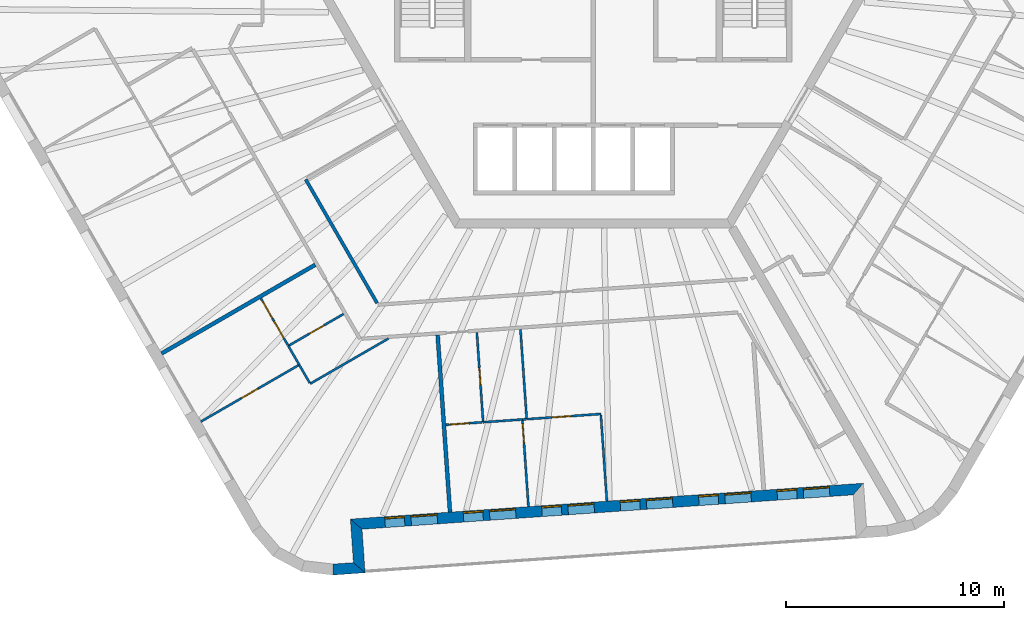
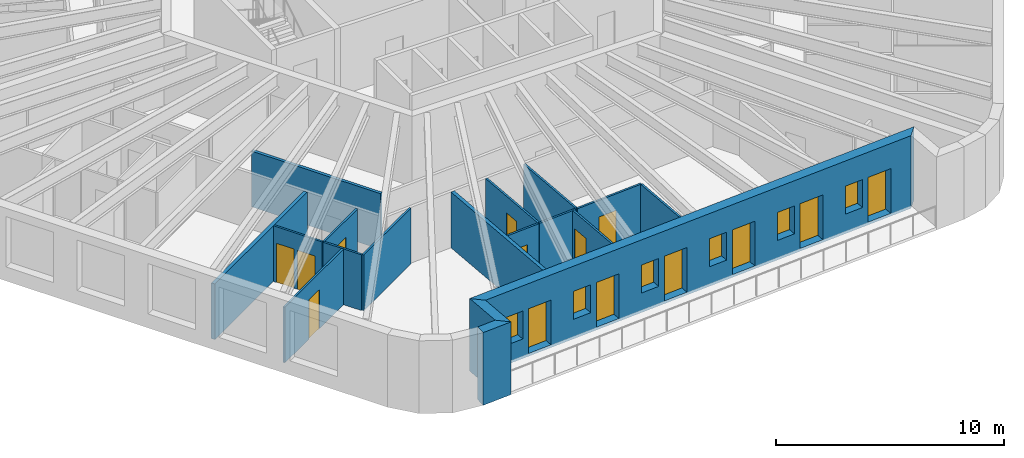
# One storey, part 3 of 12: 20 walls, 14 doors, 6 windows, 20 openings.
"""IFC4 building model written with IfcOpenShell, lengths in metres."""

from ifc_helpers import new_model, si_unit, direction, frame, frame_2d, origin, place, context, subcontext, project, spatial, polyline, rectangle, outline, extrude, material, layer, layer_set, type_object, element, fill, save


model = new_model("IFC4")

# Units and contexts
model_context = context("Model", 3, precision=1e-05, world=origin(), true_north=direction((0.0, 1.0)))
body_context = subcontext(model_context, "Body", "Model", "MODEL_VIEW")
ifc_project = project(units=[si_unit("LENGTHUNIT", "METRE"), si_unit("AREAUNIT", "SQUARE_METRE"), si_unit("VOLUMEUNIT", "CUBIC_METRE"), si_unit("PLANEANGLEUNIT", "RADIAN"), si_unit("MASSUNIT", "GRAM", prefix="KILO")], contexts=[model_context])

# Site, building, storey
site_placement = place(None, origin())
site = spatial("IfcSite", under=ifc_project, at=site_placement, CompositionType="ELEMENT")
building_placement = place(site_placement, origin())
building = spatial("IfcBuilding", under=site, at=building_placement, Name="Tarnside Tower", CompositionType="ELEMENT")
storey_placement = place(building_placement, frame((0.0, 0.0, 283.5)))
storey = spatial("IfcBuildingStorey", under=building, at=storey_placement, Name="L68", CompositionType="ELEMENT", Elevation=283.5)

# Walls
ifc_material_1 = material(Name="Gypsum board partition on steel studs", Category="steel")
ifc_layer_1 = layer(ifc_material_1, 0.10009765625)
ifc_layer_set_1 = layer_set([ifc_layer_1], Name="Bathroom wall 100")
wall_type_1 = type_object("IfcWallType", Name="Bathroom wall 100", PredefinedType="PARTITIONING", material=ifc_layer_set_1)
wall_1_placement = place(storey_placement, frame((-9.382080078125, -16.068603515625, 0.0), z_axis=(0.0, 0.0, 1.0), x_axis=(-0.866028486751, -0.499994660107, 0.0)))
element("IfcWall", 1, at=wall_1_placement, inside=storey, type_object=wall_type_1, Name="Bathroom wall 22129", PredefinedType="PARTITIONING", context=body_context, shape_type="SweptSolid", body=[
    extrude(rectangle(XDim=4.140625, YDim=0.10009765625, at=frame_2d((2.0703125, 0.0))), origin(), (0.0, 0.0, 1.0), 2.98779296875),
])
wall_2_placement = place(storey_placement, frame((-12.992919921875, -18.095703125, 0.0), z_axis=(0.0, 0.0, 1.0), x_axis=(-0.500055416838, 0.865993406494, 0.0)))
element("IfcWall", 2, at=wall_2_placement, inside=storey, type_object=wall_type_1, Name="Bathroom wall 22130", PredefinedType="PARTITIONING", context=body_context, shape_type="SweptSolid", body=[
    extrude(rectangle(XDim=0.9521484375, YDim=0.10009765625, at=frame_2d((0.47607421875, 0.0))), origin(), (0.0, 0.0, 1.0), 2.98779296875),
])

# Wall, opening, door
wall_3_placement = place(storey_placement, frame((-13.968017578125, -16.40673828125, 0.0), z_axis=(0.0, 0.0, 1.0), x_axis=(0.866046596414, 0.499963291492, 0.0)))
wall_3 = element("IfcWall", 3, at=wall_3_placement, inside=storey, type_object=wall_type_1, Name="Bathroom wall 22134", PredefinedType="PARTITIONING", context=body_context, shape_type="SweptSolid", body=[
    extrude(rectangle(XDim=2.925048828125, YDim=0.10009765625, at=frame_2d((1.46240234375, 0.0))), origin(), (0.0, 0.0, 1.0), 2.98779296875),
])
opening_1_placement = place(wall_3_placement, frame((1.10009765625, 0.0, 0.0)))
opening_1 = element("IfcOpeningElement", 4, at=opening_1_placement, cuts=wall_3, Name="Opening D-B1", PredefinedType="OPENING", context=body_context, shape_type="SweptSolid", body=[
    extrude(rectangle(XDim=0.800048828125, YDim=2.10009765625, at=frame_2d((0.39990234375, 1.050048828125))), frame((0.0, 0.06005859375, 0.0), z_axis=(0.0, -1.0, 0.0), x_axis=(1.0, 0.0, 0.0)), (0.0, 0.0, 1.0), 0.1201171875),
])
ifc_material_2 = material(Name="Timber door leaf", Category="wood")
door_type_1 = type_object("IfcDoorType", Name="Bathroom door 800", OperationType="NOTDEFINED", PredefinedType="DOOR", material=ifc_material_2)
door_1_placement = place(opening_1_placement, origin())
door_1 = element("IfcDoor", 5, at=door_1_placement, inside=storey, type_object=door_type_1, Name="Bathroom door 22042", OperationType="SINGLE_SWING_LEFT", OverallHeight=2.10009765625, OverallWidth=0.800048828125, PredefinedType="DOOR", context=body_context, shape_type="SweptSolid", body=[
    extrude(rectangle(XDim=0.800048828125, YDim=2.10009765625, at=frame_2d((0.39990234375, 1.050048828125))), frame((0.0, 0.02490234375, 0.0), z_axis=(0.0, -1.0, 0.0), x_axis=(1.0, 0.0, 0.0)), (0.0, 0.0, 1.0), 0.050048828125),
])
fill(opening_1, door_1)

# Walls
wall_4_placement = place(storey_placement, frame((-13.968994140625, -16.405029296875, 0.0), z_axis=(0.0, 0.0, 1.0), x_axis=(0.499912255713, -0.866076057046, 0.0)))
element("IfcWall", 6, at=wall_4_placement, inside=storey, type_object=wall_type_1, Name="Bathroom wall 22136", PredefinedType="PARTITIONING", context=body_context, shape_type="SweptSolid", body=[
    extrude(rectangle(XDim=1.002197265625, YDim=0.10009765625, at=frame_2d((0.5009765625, 0.0))), origin(), (0.0, 0.0, 1.0), 2.98779296875),
])
wall_5_placement = place(storey_placement, frame((-3.341552734375, -15.646240234375, 0.0), z_axis=(0.0, 0.0, 1.0), x_axis=(0.069779065701, -0.997562470219, 0.0)))
element("IfcWall", 7, at=wall_5_placement, inside=storey, type_object=wall_type_1, Name="Bathroom wall 22137", PredefinedType="PARTITIONING", context=body_context, shape_type="SweptSolid", body=[
    extrude(rectangle(XDim=4.125, YDim=0.10009765625, at=frame_2d((2.0625, 0.0))), origin(), (0.0, 0.0, 1.0), 2.98779296875),
])

# Wall, opening, door
wall_6_placement = place(storey_placement, frame((-5.048828125, -19.900634765625, 0.0), z_axis=(0.0, 0.0, 1.0), x_axis=(-0.069779065701, 0.997562470219, 0.0)))
wall_6 = element("IfcWall", 8, at=wall_6_placement, inside=storey, type_object=wall_type_1, Name="Bathroom wall 22141", PredefinedType="PARTITIONING", context=body_context, shape_type="SweptSolid", body=[
    extrude(rectangle(XDim=4.125, YDim=0.10009765625, at=frame_2d((2.0625, 0.0))), origin(), (0.0, 0.0, 1.0), 2.98779296875),
])
opening_2_placement = place(wall_6_placement, frame((1.699951171875, 0.0, 0.0)))
opening_2 = element("IfcOpeningElement", 9, at=opening_2_placement, cuts=wall_6, Name="Opening D-B1", PredefinedType="OPENING", context=body_context, shape_type="SweptSolid", body=[
    extrude(rectangle(XDim=0.800048828125, YDim=2.10009765625, at=frame_2d((0.39990234375, 1.050048828125))), frame((0.0, 0.06005859375, 0.0), z_axis=(0.0, -1.0, 0.0), x_axis=(1.0, 0.0, 0.0)), (0.0, 0.0, 1.0), 0.1201171875),
])
door_2_placement = place(opening_2_placement, origin())
door_2 = element("IfcDoor", 10, at=door_2_placement, inside=storey, type_object=door_type_1, Name="Bathroom door 22047", OperationType="SINGLE_SWING_LEFT", OverallHeight=2.10009765625, OverallWidth=0.800048828125, PredefinedType="DOOR", context=body_context, shape_type="SweptSolid", body=[
    extrude(rectangle(XDim=0.800048828125, YDim=2.10009765625, at=frame_2d((0.39990234375, 1.050048828125))), frame((0.0, 0.02490234375, 0.0), z_axis=(0.0, -1.0, 0.0), x_axis=(1.0, 0.0, 0.0)), (0.0, 0.0, 1.0), 0.050048828125),
])
fill(opening_2, door_2)

# Walls
wall_7_placement = place(storey_placement, frame((-5.05078125, -19.90087890625, 0.0), z_axis=(0.0, 0.0, 1.0), x_axis=(0.997562835018, 0.069773850337, 0.0)))
element("IfcWall", 11, at=wall_7_placement, inside=storey, type_object=wall_type_1, Name="Bathroom wall 22143", PredefinedType="PARTITIONING", context=body_context, shape_type="SweptSolid", body=[
    extrude(rectangle(XDim=1.802001953125, YDim=0.10009765625, at=frame_2d((0.90087890625, 0.0))), origin(), (0.0, 0.0, 1.0), 2.98779296875),
])
wall_8_placement = place(storey_placement, frame((-3.253173828125, -19.775146484375, 0.0), z_axis=(0.0, 0.0, 1.0), x_axis=(0.997499305037, 0.070676279262, 0.0)))
element("IfcWall", 12, at=wall_8_placement, inside=storey, type_object=wall_type_1, Name="Bathroom wall 22144", PredefinedType="PARTITIONING", context=body_context, shape_type="SweptSolid", body=[
    extrude(rectangle(XDim=0.152099609375, YDim=0.10009765625, at=frame_2d((0.076171875, 0.0))), origin(), (0.0, 0.0, 1.0), 2.98779296875),
])
ifc_layer_2 = layer(ifc_material_1, 0.14990234375)
ifc_layer_set_2 = layer_set([ifc_layer_2], Name="Corridor wall 150 EI 60")
wall_type_2 = type_object("IfcWallType", Name="Corridor wall 150 EI 60", PredefinedType="PARTITIONING", material=ifc_layer_set_2)
wall_9_placement = place(storey_placement, frame((-9.901123046875, -14.450927734375, 0.0), z_axis=(0.0, 0.0, 1.0), x_axis=(-0.49999161165, 0.866030246746, 0.0)))
element("IfcWall", 13, at=wall_9_placement, inside=storey, type_object=wall_type_2, Name="Corridor wall 22053", PredefinedType="PARTITIONING", context=body_context, shape_type="SweptSolid", body=[
    extrude(rectangle(XDim=6.54296875, YDim=0.14990234375, at=frame_2d((3.271484375, 0.0))), origin(), (0.0, 0.0, 1.0), 2.98779296875),
])
ifc_layer_3 = layer(ifc_material_1, 0.179931640625)
ifc_layer_set_3 = layer_set([ifc_layer_3], Name="Demising wall 180 EI 60")
wall_type_3 = type_object("IfcWallType", Name="Demising wall 180 EI 60", PredefinedType="PARTITIONING", material=ifc_layer_set_3)
for number, where, z_axis, x_axis, name in (
    (14, (-19.771240234375, -16.755126953125, 0.0), (0.0, 0.0, 1.0), (0.866022959057, 0.500004234368, 0.0), "Demising wall 22120"),
    (15, (-6.5654296875, -24.0166015625, 0.0), (0.0, 0.0, 1.0), (-0.069741515951, 0.997565096098, 0.0), "Demising wall 22132"),
):
    element("IfcWall", number, at=place(storey_placement, frame(where, z_axis=z_axis, x_axis=x_axis)), inside=storey, type_object=wall_type_3, Name=name, PredefinedType="PARTITIONING", context=body_context, shape_type="SweptSolid", body=[
        extrude(rectangle(XDim=8.125, YDim=0.179931640625, at=frame_2d((4.0625, 0.0))), origin(), (0.0, 0.0, 1.0), 2.98779296875),
    ])
ifc_material_3 = material(Name="Dark zinc cladding")
ifc_layer_4 = layer(ifc_material_3, 0.10205078125)
ifc_material_4 = material(Name="Concrete C60/75 precast", Category="concrete")
ifc_layer_5 = layer(ifc_material_4, 0.298095703125)
ifc_material_5 = material(Name="Mineral wool insulation")
ifc_layer_6 = layer(ifc_material_5, 0.10009765625)
ifc_layer_set_4 = layer_set([ifc_layer_4, ifc_layer_5, ifc_layer_6], Name="Loggia wall 500 zinc faced")
wall_type_4 = type_object("IfcWallType", Name="Loggia wall 500 zinc faced", PredefinedType="SOLIDWALL", material=ifc_layer_set_4)
wall_10_placement = place(storey_placement, frame((-11.91748046875, -26.646240234375, -0.14990234375), z_axis=(0.0, 0.0, 1.0), x_axis=(0.997562933087, 0.069772448216, 0.0)))
element("IfcWall", 16, at=wall_10_placement, inside=storey, type_object=wall_type_4, Name="Tube wall L68 F4 stub 16", PredefinedType="SOLIDWALL", context=body_context, shape_type="SweptSolid", body=[
    extrude(outline(polyline([(-0.0234375, -0.25), (1.4501953125, -0.25), (0.9501953125, 0.25), (0.0234375, 0.25), (-0.0234375, -0.25)])), origin(), (0.0, 0.0, 1.0), 3.89990234375),
])
wall_11_placement = place(storey_placement, frame((-10.72021484375, -26.5625, -0.14990234375), z_axis=(0.0, 0.0, 1.0), x_axis=(-0.069824268692, 0.99755930726, 0.0)))
element("IfcWall", 17, at=wall_11_placement, inside=storey, type_object=wall_type_4, Name="Tube wall L68 F4 return 17", PredefinedType="SOLIDWALL", context=body_context, shape_type="SweptSolid", body=[
    extrude(outline(polyline([(-0.25, -0.25), (1.75, -0.25), (2.25, 0.25), (0.25, 0.25), (-0.25, -0.25)])), origin(), (0.0, 0.0, 1.0), 3.89990234375),
])

# Wall, openings, doors, windows
wall_12_placement = place(storey_placement, frame((-10.85986328125, -24.5673828125, -0.14990234375), z_axis=(0.0, 0.0, 1.0), x_axis=(0.997564329317, 0.06975248292, 0.0)))
wall_12 = element("IfcWall", 18, at=wall_12_placement, inside=storey, type_object=wall_type_4, Name="Tube wall L68 F4 back 18", PredefinedType="SOLIDWALL", context=body_context, shape_type="SweptSolid", body=[
    extrude(outline(polyline([(0.25, -0.25), (22.794677734375, -0.25), (23.294677734375, 0.25), (-0.25, 0.25), (0.25, -0.25)])), origin(), (0.0, 0.0, 1.0), 3.89990234375),
])
opening_3_placement = place(wall_12_placement, frame((1.322509765625, 0.0, 1.050048828125)))
opening_3 = element("IfcOpeningElement", 19, at=opening_3_placement, cuts=wall_12, Name="Opening WL500", PredefinedType="OPENING", context=body_context, shape_type="SweptSolid", body=[
    extrude(rectangle(XDim=0.89990234375, YDim=1.5, at=frame_2d((0.449951171875, 0.75))), frame((0.0, 0.260009765625, 0.0), z_axis=(0.0, -1.0, 0.0), x_axis=(1.0, 0.0, 0.0)), (0.0, 0.0, 1.0), 0.52001953125),
])
opening_4_placement = place(wall_12_placement, frame((2.5224609375, 0.0, 0.14990234375)))
opening_4 = element("IfcOpeningElement", 20, at=opening_4_placement, cuts=wall_12, Name="Opening DB500", PredefinedType="OPENING", context=body_context, shape_type="SweptSolid", body=[
    extrude(rectangle(XDim=1.199951171875, YDim=2.39990234375, at=frame_2d((0.60009765625, 1.199951171875))), frame((0.0, 0.260009765625, 0.0), z_axis=(0.0, -1.0, 0.0), x_axis=(1.0, 0.0, 0.0)), (0.0, 0.0, 1.0), 0.52001953125),
])
opening_5_placement = place(wall_12_placement, frame((4.92236328125, 0.0, 1.050048828125)))
opening_5 = element("IfcOpeningElement", 21, at=opening_5_placement, cuts=wall_12, Name="Opening WL500", PredefinedType="OPENING", context=body_context, shape_type="SweptSolid", body=[
    extrude(rectangle(XDim=0.89990234375, YDim=1.5, at=frame_2d((0.449951171875, 0.75))), frame((0.0, 0.260009765625, 0.0), z_axis=(0.0, -1.0, 0.0), x_axis=(1.0, 0.0, 0.0)), (0.0, 0.0, 1.0), 0.52001953125),
])
opening_6_placement = place(wall_12_placement, frame((6.122314453125, 0.0, 0.14990234375)))
opening_6 = element("IfcOpeningElement", 22, at=opening_6_placement, cuts=wall_12, Name="Opening DB500", PredefinedType="OPENING", context=body_context, shape_type="SweptSolid", body=[
    extrude(rectangle(XDim=1.199951171875, YDim=2.39990234375, at=frame_2d((0.60009765625, 1.199951171875))), frame((0.0, 0.260009765625, 0.0), z_axis=(0.0, -1.0, 0.0), x_axis=(1.0, 0.0, 0.0)), (0.0, 0.0, 1.0), 0.52001953125),
])
opening_7_placement = place(wall_12_placement, frame((8.5224609375, 0.0, 1.050048828125)))
opening_7 = element("IfcOpeningElement", 23, at=opening_7_placement, cuts=wall_12, Name="Opening WL500", PredefinedType="OPENING", context=body_context, shape_type="SweptSolid", body=[
    extrude(rectangle(XDim=0.89990234375, YDim=1.5, at=frame_2d((0.449951171875, 0.75))), frame((0.0, 0.260009765625, 0.0), z_axis=(0.0, -1.0, 0.0), x_axis=(1.0, 0.0, 0.0)), (0.0, 0.0, 1.0), 0.52001953125),
])
opening_8_placement = place(wall_12_placement, frame((9.722412109375, 0.0, 0.14990234375)))
opening_8 = element("IfcOpeningElement", 24, at=opening_8_placement, cuts=wall_12, Name="Opening DB500", PredefinedType="OPENING", context=body_context, shape_type="SweptSolid", body=[
    extrude(rectangle(XDim=1.199951171875, YDim=2.39990234375, at=frame_2d((0.60009765625, 1.199951171875))), frame((0.0, 0.260009765625, 0.0), z_axis=(0.0, -1.0, 0.0), x_axis=(1.0, 0.0, 0.0)), (0.0, 0.0, 1.0), 0.52001953125),
])
opening_9_placement = place(wall_12_placement, frame((12.122314453125, 0.0, 1.050048828125)))
opening_9 = element("IfcOpeningElement", 25, at=opening_9_placement, cuts=wall_12, Name="Opening WL500", PredefinedType="OPENING", context=body_context, shape_type="SweptSolid", body=[
    extrude(rectangle(XDim=0.89990234375, YDim=1.5, at=frame_2d((0.449951171875, 0.75))), frame((0.0, 0.260009765625, 0.0), z_axis=(0.0, -1.0, 0.0), x_axis=(1.0, 0.0, 0.0)), (0.0, 0.0, 1.0), 0.52001953125),
])
opening_10_placement = place(wall_12_placement, frame((13.322509765625, 0.0, 0.14990234375)))
opening_10 = element("IfcOpeningElement", 26, at=opening_10_placement, cuts=wall_12, Name="Opening DB500", PredefinedType="OPENING", context=body_context, shape_type="SweptSolid", body=[
    extrude(rectangle(XDim=1.199951171875, YDim=2.39990234375, at=frame_2d((0.60009765625, 1.199951171875))), frame((0.0, 0.260009765625, 0.0), z_axis=(0.0, -1.0, 0.0), x_axis=(1.0, 0.0, 0.0)), (0.0, 0.0, 1.0), 0.52001953125),
])
opening_11_placement = place(wall_12_placement, frame((15.722412109375, 0.0, 1.050048828125)))
opening_11 = element("IfcOpeningElement", 27, at=opening_11_placement, cuts=wall_12, Name="Opening WL500", PredefinedType="OPENING", context=body_context, shape_type="SweptSolid", body=[
    extrude(rectangle(XDim=0.89990234375, YDim=1.5, at=frame_2d((0.449951171875, 0.75))), frame((0.0, 0.260009765625, 0.0), z_axis=(0.0, -1.0, 0.0), x_axis=(1.0, 0.0, 0.0)), (0.0, 0.0, 1.0), 0.52001953125),
])
opening_12_placement = place(wall_12_placement, frame((16.92236328125, 0.0, 0.14990234375)))
opening_12 = element("IfcOpeningElement", 28, at=opening_12_placement, cuts=wall_12, Name="Opening DB500", PredefinedType="OPENING", context=body_context, shape_type="SweptSolid", body=[
    extrude(rectangle(XDim=1.199951171875, YDim=2.39990234375, at=frame_2d((0.60009765625, 1.199951171875))), frame((0.0, 0.260009765625, 0.0), z_axis=(0.0, -1.0, 0.0), x_axis=(1.0, 0.0, 0.0)), (0.0, 0.0, 1.0), 0.52001953125),
])
opening_13_placement = place(wall_12_placement, frame((19.322509765625, 0.0, 1.050048828125)))
opening_13 = element("IfcOpeningElement", 29, at=opening_13_placement, cuts=wall_12, Name="Opening WL500", PredefinedType="OPENING", context=body_context, shape_type="SweptSolid", body=[
    extrude(rectangle(XDim=0.89990234375, YDim=1.5, at=frame_2d((0.449951171875, 0.75))), frame((0.0, 0.260009765625, 0.0), z_axis=(0.0, -1.0, 0.0), x_axis=(1.0, 0.0, 0.0)), (0.0, 0.0, 1.0), 0.52001953125),
])
opening_14_placement = place(wall_12_placement, frame((20.5224609375, 0.0, 0.14990234375)))
opening_14 = element("IfcOpeningElement", 30, at=opening_14_placement, cuts=wall_12, Name="Opening DB500", PredefinedType="OPENING", context=body_context, shape_type="SweptSolid", body=[
    extrude(rectangle(XDim=1.199951171875, YDim=2.39990234375, at=frame_2d((0.60009765625, 1.199951171875))), frame((0.0, 0.260009765625, 0.0), z_axis=(0.0, -1.0, 0.0), x_axis=(1.0, 0.0, 0.0)), (0.0, 0.0, 1.0), 0.52001953125),
])
ifc_material_6 = material(Name="Aluminium-framed double glazing", Category="aluminium")
door_type_2 = type_object("IfcDoorType", Name="Balcony sliding door 1200 x 2400 in 500 wall", OperationType="SLIDING_TO_LEFT", PredefinedType="DOOR", material=ifc_material_6)
door_3_placement = place(opening_4_placement, frame((0.0, 0.1748046875, 0.0)))
door_3 = element("IfcDoor", 31, at=door_3_placement, inside=storey, type_object=door_type_2, Name="E.BD.L68.F4.00", OperationType="SLIDING_TO_LEFT", OverallHeight=2.39990234375, OverallWidth=1.199951171875, PredefinedType="DOOR", context=body_context, shape_type="SweptSolid", body=[
    extrude(rectangle(XDim=1.199951171875, YDim=2.39990234375, at=frame_2d((0.60009765625, 1.199951171875))), frame((0.0, 0.02490234375, 0.0), z_axis=(0.0, -1.0, 0.0), x_axis=(1.0, 0.0, 0.0)), (0.0, 0.0, 1.0), 0.050048828125),
])
fill(opening_4, door_3)
door_4_placement = place(opening_6_placement, frame((0.0, 0.1748046875, 0.0)))
door_4 = element("IfcDoor", 32, at=door_4_placement, inside=storey, type_object=door_type_2, Name="E.BD.L68.F4.01", OperationType="SLIDING_TO_LEFT", OverallHeight=2.39990234375, OverallWidth=1.199951171875, PredefinedType="DOOR", context=body_context, shape_type="SweptSolid", body=[
    extrude(rectangle(XDim=1.199951171875, YDim=2.39990234375, at=frame_2d((0.60009765625, 1.199951171875))), frame((0.0, 0.02490234375, 0.0), z_axis=(0.0, -1.0, 0.0), x_axis=(1.0, 0.0, 0.0)), (0.0, 0.0, 1.0), 0.050048828125),
])
fill(opening_6, door_4)
door_5_placement = place(opening_8_placement, frame((0.0, 0.1748046875, 0.0)))
door_5 = element("IfcDoor", 33, at=door_5_placement, inside=storey, type_object=door_type_2, Name="E.BD.L68.F4.02", OperationType="SLIDING_TO_LEFT", OverallHeight=2.39990234375, OverallWidth=1.199951171875, PredefinedType="DOOR", context=body_context, shape_type="SweptSolid", body=[
    extrude(rectangle(XDim=1.199951171875, YDim=2.39990234375, at=frame_2d((0.60009765625, 1.199951171875))), frame((0.0, 0.02490234375, 0.0), z_axis=(0.0, -1.0, 0.0), x_axis=(1.0, 0.0, 0.0)), (0.0, 0.0, 1.0), 0.050048828125),
])
fill(opening_8, door_5)
door_6_placement = place(opening_10_placement, frame((0.0, 0.1748046875, 0.0)))
door_6 = element("IfcDoor", 34, at=door_6_placement, inside=storey, type_object=door_type_2, Name="E.BD.L68.F4.03", OperationType="SLIDING_TO_LEFT", OverallHeight=2.39990234375, OverallWidth=1.199951171875, PredefinedType="DOOR", context=body_context, shape_type="SweptSolid", body=[
    extrude(rectangle(XDim=1.199951171875, YDim=2.39990234375, at=frame_2d((0.60009765625, 1.199951171875))), frame((0.0, 0.02490234375, 0.0), z_axis=(0.0, -1.0, 0.0), x_axis=(1.0, 0.0, 0.0)), (0.0, 0.0, 1.0), 0.050048828125),
])
fill(opening_10, door_6)
door_7_placement = place(opening_12_placement, frame((0.0, 0.1748046875, 0.0)))
door_7 = element("IfcDoor", 35, at=door_7_placement, inside=storey, type_object=door_type_2, Name="E.BD.L68.F4.04", OperationType="SLIDING_TO_LEFT", OverallHeight=2.39990234375, OverallWidth=1.199951171875, PredefinedType="DOOR", context=body_context, shape_type="SweptSolid", body=[
    extrude(rectangle(XDim=1.199951171875, YDim=2.39990234375, at=frame_2d((0.60009765625, 1.199951171875))), frame((0.0, 0.02490234375, 0.0), z_axis=(0.0, -1.0, 0.0), x_axis=(1.0, 0.0, 0.0)), (0.0, 0.0, 1.0), 0.050048828125),
])
fill(opening_12, door_7)
door_8_placement = place(opening_14_placement, frame((0.0, 0.1748046875, 0.0)))
door_8 = element("IfcDoor", 36, at=door_8_placement, inside=storey, type_object=door_type_2, Name="E.BD.L68.F4.05", OperationType="SLIDING_TO_LEFT", OverallHeight=2.39990234375, OverallWidth=1.199951171875, PredefinedType="DOOR", context=body_context, shape_type="SweptSolid", body=[
    extrude(rectangle(XDim=1.199951171875, YDim=2.39990234375, at=frame_2d((0.60009765625, 1.199951171875))), frame((0.0, 0.02490234375, 0.0), z_axis=(0.0, -1.0, 0.0), x_axis=(1.0, 0.0, 0.0)), (0.0, 0.0, 1.0), 0.050048828125),
])
fill(opening_14, door_8)
window_type = type_object("IfcWindowType", Name="Loggia window 900 x 1500 in 500 wall", PartitioningType="SINGLE_PANEL", PredefinedType="WINDOW", material=ifc_material_6)
window_1_placement = place(opening_3_placement, frame((0.0, 0.179931640625, 0.0)))
window_1 = element("IfcWindow", 37, at=window_1_placement, inside=storey, type_object=window_type, Name="E.LW.L68.F4.00", OverallHeight=1.5, OverallWidth=0.89990234375, PartitioningType="SINGLE_PANEL", PredefinedType="WINDOW", context=body_context, shape_type="SweptSolid", body=[
    extrude(rectangle(XDim=0.89990234375, YDim=1.5, at=frame_2d((0.449951171875, 0.75))), frame((0.0, 0.030029296875, 0.0), z_axis=(0.0, -1.0, 0.0), x_axis=(1.0, 0.0, 0.0)), (0.0, 0.0, 1.0), 0.06005859375),
])
fill(opening_3, window_1)
window_2_placement = place(opening_5_placement, frame((0.0, 0.179931640625, 0.0)))
window_2 = element("IfcWindow", 38, at=window_2_placement, inside=storey, type_object=window_type, Name="E.LW.L68.F4.01", OverallHeight=1.5, OverallWidth=0.89990234375, PartitioningType="SINGLE_PANEL", PredefinedType="WINDOW", context=body_context, shape_type="SweptSolid", body=[
    extrude(rectangle(XDim=0.89990234375, YDim=1.5, at=frame_2d((0.449951171875, 0.75))), frame((0.0, 0.030029296875, 0.0), z_axis=(0.0, -1.0, 0.0), x_axis=(1.0, 0.0, 0.0)), (0.0, 0.0, 1.0), 0.06005859375),
])
fill(opening_5, window_2)
window_3_placement = place(opening_7_placement, frame((0.0, 0.179931640625, 0.0)))
window_3 = element("IfcWindow", 39, at=window_3_placement, inside=storey, type_object=window_type, Name="E.LW.L68.F4.02", OverallHeight=1.5, OverallWidth=0.89990234375, PartitioningType="SINGLE_PANEL", PredefinedType="WINDOW", context=body_context, shape_type="SweptSolid", body=[
    extrude(rectangle(XDim=0.89990234375, YDim=1.5, at=frame_2d((0.449951171875, 0.75))), frame((0.0, 0.030029296875, 0.0), z_axis=(0.0, -1.0, 0.0), x_axis=(1.0, 0.0, 0.0)), (0.0, 0.0, 1.0), 0.06005859375),
])
fill(opening_7, window_3)
window_4_placement = place(opening_9_placement, frame((0.0, 0.179931640625, 0.0)))
window_4 = element("IfcWindow", 40, at=window_4_placement, inside=storey, type_object=window_type, Name="E.LW.L68.F4.03", OverallHeight=1.5, OverallWidth=0.89990234375, PartitioningType="SINGLE_PANEL", PredefinedType="WINDOW", context=body_context, shape_type="SweptSolid", body=[
    extrude(rectangle(XDim=0.89990234375, YDim=1.5, at=frame_2d((0.449951171875, 0.75))), frame((0.0, 0.030029296875, 0.0), z_axis=(0.0, -1.0, 0.0), x_axis=(1.0, 0.0, 0.0)), (0.0, 0.0, 1.0), 0.06005859375),
])
fill(opening_9, window_4)
window_5_placement = place(opening_11_placement, frame((0.0, 0.179931640625, 0.0)))
window_5 = element("IfcWindow", 41, at=window_5_placement, inside=storey, type_object=window_type, Name="E.LW.L68.F4.04", OverallHeight=1.5, OverallWidth=0.89990234375, PartitioningType="SINGLE_PANEL", PredefinedType="WINDOW", context=body_context, shape_type="SweptSolid", body=[
    extrude(rectangle(XDim=0.89990234375, YDim=1.5, at=frame_2d((0.449951171875, 0.75))), frame((0.0, 0.030029296875, 0.0), z_axis=(0.0, -1.0, 0.0), x_axis=(1.0, 0.0, 0.0)), (0.0, 0.0, 1.0), 0.06005859375),
])
fill(opening_11, window_5)
window_6_placement = place(opening_13_placement, frame((0.0, 0.179931640625, 0.0)))
window_6 = element("IfcWindow", 42, at=window_6_placement, inside=storey, type_object=window_type, Name="E.LW.L68.F4.05", OverallHeight=1.5, OverallWidth=0.89990234375, PartitioningType="SINGLE_PANEL", PredefinedType="WINDOW", context=body_context, shape_type="SweptSolid", body=[
    extrude(rectangle(XDim=0.89990234375, YDim=1.5, at=frame_2d((0.449951171875, 0.75))), frame((0.0, 0.030029296875, 0.0), z_axis=(0.0, -1.0, 0.0), x_axis=(1.0, 0.0, 0.0)), (0.0, 0.0, 1.0), 0.06005859375),
])
fill(opening_13, window_6)

# Wall, opening, door
ifc_layer_7 = layer(ifc_material_1, 0.10009765625)
ifc_layer_set_5 = layer_set([ifc_layer_7], Name="Partition 100")
wall_type_5 = type_object("IfcWallType", Name="Partition 100", PredefinedType="PARTITIONING", material=ifc_layer_set_5)
wall_13_placement = place(storey_placement, frame((-13.51123046875, -17.2978515625, 0.0), z_axis=(0.0, 0.0, 1.0), x_axis=(-0.866026116456, -0.499998765615, 0.0)))
wall_13 = element("IfcWall", 43, at=wall_13_placement, inside=storey, type_object=wall_type_5, Name="Partition wall 22131", PredefinedType="PARTITIONING", context=body_context, shape_type="SweptSolid", body=[
    extrude(rectangle(XDim=5.14990234375, YDim=0.10009765625, at=frame_2d((2.574951171875, 0.0))), origin(), (0.0, 0.0, 1.0), 2.98779296875),
])
opening_15_placement = place(wall_13_placement, frame((2.125, 0.0, 0.0)))
opening_15 = element("IfcOpeningElement", 44, at=opening_15_placement, cuts=wall_13, Name="Opening D-I1", PredefinedType="OPENING", context=body_context, shape_type="SweptSolid", body=[
    extrude(rectangle(XDim=0.89990234375, YDim=2.10009765625, at=frame_2d((0.449951171875, 1.050048828125))), frame((0.0, 0.06005859375, 0.0), z_axis=(0.0, -1.0, 0.0), x_axis=(1.0, 0.0, 0.0)), (0.0, 0.0, 1.0), 0.1201171875),
])
door_type_3 = type_object("IfcDoorType", Name="Internal door 900", OperationType="NOTDEFINED", PredefinedType="DOOR", material=ifc_material_2)
door_9_placement = place(opening_15_placement, origin())
door_9 = element("IfcDoor", 45, at=door_9_placement, inside=storey, type_object=door_type_3, Name="Internal door 22084", OperationType="SINGLE_SWING_RIGHT", OverallHeight=2.10009765625, OverallWidth=0.89990234375, PredefinedType="DOOR", context=body_context, shape_type="SweptSolid", body=[
    extrude(rectangle(XDim=0.89990234375, YDim=2.10009765625, at=frame_2d((0.449951171875, 1.050048828125))), frame((0.0, 0.02490234375, 0.0), z_axis=(0.0, -1.0, 0.0), x_axis=(1.0, 0.0, 0.0)), (0.0, 0.0, 1.0), 0.050048828125),
])
fill(opening_15, door_9)

# Wall, openings, doors
wall_14_placement = place(storey_placement, frame((-15.222900390625, -14.233154296875, 0.0), z_axis=(0.0, 0.0, 1.0), x_axis=(0.500000007376, -0.866025399526, 0.0)))
wall_14 = element("IfcWall", 46, at=wall_14_placement, inside=storey, type_object=wall_type_5, Name="Partition wall 22135", PredefinedType="PARTITIONING", context=body_context, shape_type="SweptSolid", body=[
    extrude(rectangle(XDim=2.4619140625, YDim=0.10009765625, at=frame_2d((1.23095703125, 0.0))), origin(), (0.0, 0.0, 1.0), 2.98779296875),
])
opening_16_placement = place(wall_14_placement, frame((0.14990234375, 0.0, 0.0)))
opening_16 = element("IfcOpeningElement", 47, at=opening_16_placement, cuts=wall_14, Name="Opening D-I1", PredefinedType="OPENING", context=body_context, shape_type="SweptSolid", body=[
    extrude(rectangle(XDim=0.89990234375, YDim=2.10009765625, at=frame_2d((0.449951171875, 1.050048828125))), frame((0.0, 0.06005859375, 0.0), z_axis=(0.0, -1.0, 0.0), x_axis=(1.0, 0.0, 0.0)), (0.0, 0.0, 1.0), 0.1201171875),
])
opening_17_placement = place(wall_14_placement, frame((1.2099609375, 0.0, 0.0)))
opening_17 = element("IfcOpeningElement", 48, at=opening_17_placement, cuts=wall_14, Name="Opening D-I1", PredefinedType="OPENING", context=body_context, shape_type="SweptSolid", body=[
    extrude(rectangle(XDim=0.89990234375, YDim=2.10009765625, at=frame_2d((0.449951171875, 1.050048828125))), frame((0.0, 0.06005859375, 0.0), z_axis=(0.0, -1.0, 0.0), x_axis=(1.0, 0.0, 0.0)), (0.0, 0.0, 1.0), 0.1201171875),
])
door_10_placement = place(opening_16_placement, origin())
door_10 = element("IfcDoor", 49, at=door_10_placement, inside=storey, type_object=door_type_3, Name="Internal door 22044", OperationType="SINGLE_SWING_LEFT", OverallHeight=2.10009765625, OverallWidth=0.89990234375, PredefinedType="DOOR", context=body_context, shape_type="SweptSolid", body=[
    extrude(rectangle(XDim=0.89990234375, YDim=2.10009765625, at=frame_2d((0.449951171875, 1.050048828125))), frame((0.0, 0.02490234375, 0.0), z_axis=(0.0, -1.0, 0.0), x_axis=(1.0, 0.0, 0.0)), (0.0, 0.0, 1.0), 0.050048828125),
])
fill(opening_16, door_10)
door_11_placement = place(opening_17_placement, origin())
door_11 = element("IfcDoor", 50, at=door_11_placement, inside=storey, type_object=door_type_3, Name="Internal door 22045", OperationType="SINGLE_SWING_LEFT", OverallHeight=2.10009765625, OverallWidth=0.89990234375, PredefinedType="DOOR", context=body_context, shape_type="SweptSolid", body=[
    extrude(rectangle(XDim=0.89990234375, YDim=2.10009765625, at=frame_2d((0.449951171875, 1.050048828125))), frame((0.0, 0.02490234375, 0.0), z_axis=(0.0, -1.0, 0.0), x_axis=(1.0, 0.0, 0.0)), (0.0, 0.0, 1.0), 0.050048828125),
])
fill(opening_17, door_11)

# Wall, opening, door
wall_15_placement = place(storey_placement, frame((-3.0556640625, -19.76123046875, 0.0), z_axis=(0.0, 0.0, 1.0), x_axis=(0.997564312984, 0.069752716511, 0.0)))
wall_15 = element("IfcWall", 51, at=wall_15_placement, inside=storey, type_object=wall_type_5, Name="Partition wall 22138", PredefinedType="PARTITIONING", context=body_context, shape_type="SweptSolid", body=[
    extrude(rectangle(XDim=3.402099609375, YDim=0.10009765625, at=frame_2d((1.701171875, 0.0))), origin(), (0.0, 0.0, 1.0), 2.98779296875),
])
opening_18_placement = place(wall_15_placement, frame((1.152099609375, 0.0, 0.0)))
opening_18 = element("IfcOpeningElement", 52, at=opening_18_placement, cuts=wall_15, Name="Opening D-I1", PredefinedType="OPENING", context=body_context, shape_type="SweptSolid", body=[
    extrude(rectangle(XDim=0.89990234375, YDim=2.10009765625, at=frame_2d((0.449951171875, 1.050048828125))), frame((0.0, 0.06005859375, 0.0), z_axis=(0.0, -1.0, 0.0), x_axis=(1.0, 0.0, 0.0)), (0.0, 0.0, 1.0), 0.1201171875),
])
door_12_placement = place(opening_18_placement, origin())
door_12 = element("IfcDoor", 53, at=door_12_placement, inside=storey, type_object=door_type_3, Name="Internal door 22053", OperationType="SINGLE_SWING_RIGHT", OverallHeight=2.10009765625, OverallWidth=0.89990234375, PredefinedType="DOOR", context=body_context, shape_type="SweptSolid", body=[
    extrude(rectangle(XDim=0.89990234375, YDim=2.10009765625, at=frame_2d((0.449951171875, 1.050048828125))), frame((0.0, 0.02490234375, 0.0), z_axis=(0.0, -1.0, 0.0), x_axis=(1.0, 0.0, 0.0)), (0.0, 0.0, 1.0), 0.050048828125),
])
fill(opening_18, door_12)

# Wall
wall_16_placement = place(storey_placement, frame((0.341552734375, -19.573974609375, 0.0), z_axis=(0.0, 0.0, 1.0), x_axis=(0.06972271583, -0.997566410269, 0.0)))
element("IfcWall", 54, at=wall_16_placement, inside=storey, type_object=wall_type_5, Name="Partition wall 22139", PredefinedType="PARTITIONING", context=body_context, shape_type="SweptSolid", body=[
    extrude(rectangle(XDim=3.94970703125, YDim=0.10009765625, at=frame_2d((1.974853515625, 0.0))), origin(), (0.0, 0.0, 1.0), 2.98779296875),
])

# Wall, opening, door
wall_17_placement = place(storey_placement, frame((-6.754638671875, -20.02001953125, 0.0), z_axis=(0.0, 0.0, 1.0), x_axis=(0.9975627517, 0.069775041534, 0.0)))
wall_17 = element("IfcWall", 55, at=wall_17_placement, inside=storey, type_object=wall_type_5, Name="Partition wall 22142", PredefinedType="PARTITIONING", context=body_context, shape_type="SweptSolid", body=[
    extrude(rectangle(XDim=1.662109375, YDim=0.10009765625, at=frame_2d((0.8310546875, 0.0))), origin(), (0.0, 0.0, 1.0), 2.98779296875),
])
opening_19_placement = place(wall_17_placement, frame((0.14990234375, 0.0, 0.0)))
opening_19 = element("IfcOpeningElement", 56, at=opening_19_placement, cuts=wall_17, Name="Opening D-I1", PredefinedType="OPENING", context=body_context, shape_type="SweptSolid", body=[
    extrude(rectangle(XDim=0.89990234375, YDim=2.10009765625, at=frame_2d((0.449951171875, 1.050048828125))), frame((0.0, 0.06005859375, 0.0), z_axis=(0.0, -1.0, 0.0), x_axis=(1.0, 0.0, 0.0)), (0.0, 0.0, 1.0), 0.1201171875),
])
door_13_placement = place(opening_19_placement, origin())
door_13 = element("IfcDoor", 57, at=door_13_placement, inside=storey, type_object=door_type_3, Name="Internal door 22049", OperationType="SINGLE_SWING_LEFT", OverallHeight=2.10009765625, OverallWidth=0.89990234375, PredefinedType="DOOR", context=body_context, shape_type="SweptSolid", body=[
    extrude(rectangle(XDim=0.89990234375, YDim=2.10009765625, at=frame_2d((0.449951171875, 1.050048828125))), frame((0.0, 0.02490234375, 0.0), z_axis=(0.0, -1.0, 0.0), x_axis=(1.0, 0.0, 0.0)), (0.0, 0.0, 1.0), 0.050048828125),
])
fill(opening_19, door_13)

wall_18_placement = place(storey_placement, frame((-2.97412109375, -23.765380859375, 0.0), z_axis=(0.0, 0.0, 1.0), x_axis=(-0.069779923244, 0.997562410234, 0.0)))
wall_18 = element("IfcWall", 58, at=wall_18_placement, inside=storey, type_object=wall_type_5, Name="Partition wall 22145", PredefinedType="PARTITIONING", context=body_context, shape_type="SweptSolid", body=[
    extrude(rectangle(XDim=3.949951171875, YDim=0.10009765625, at=frame_2d((1.97509765625, 0.0))), origin(), (0.0, 0.0, 1.0), 2.98779296875),
])
opening_20_placement = place(wall_18_placement, frame((2.89990234375, 0.0, 0.0)))
opening_20 = element("IfcOpeningElement", 59, at=opening_20_placement, cuts=wall_18, Name="Opening D-I1", PredefinedType="OPENING", context=body_context, shape_type="SweptSolid", body=[
    extrude(rectangle(XDim=0.89990234375, YDim=2.10009765625, at=frame_2d((0.449951171875, 1.050048828125))), frame((0.0, 0.06005859375, 0.0), z_axis=(0.0, -1.0, 0.0), x_axis=(1.0, 0.0, 0.0)), (0.0, 0.0, 1.0), 0.1201171875),
])
door_14_placement = place(opening_20_placement, origin())
door_14 = element("IfcDoor", 60, at=door_14_placement, inside=storey, type_object=door_type_3, Name="Internal door 22052", OperationType="SINGLE_SWING_RIGHT", OverallHeight=2.10009765625, OverallWidth=0.89990234375, PredefinedType="DOOR", context=body_context, shape_type="SweptSolid", body=[
    extrude(rectangle(XDim=0.89990234375, YDim=2.10009765625, at=frame_2d((0.449951171875, 1.050048828125))), frame((0.0, 0.02490234375, 0.0), z_axis=(0.0, -1.0, 0.0), x_axis=(1.0, 0.0, 0.0)), (0.0, 0.0, 1.0), 0.050048828125),
])
fill(opening_20, door_14)

save(model, "model.ifc")
